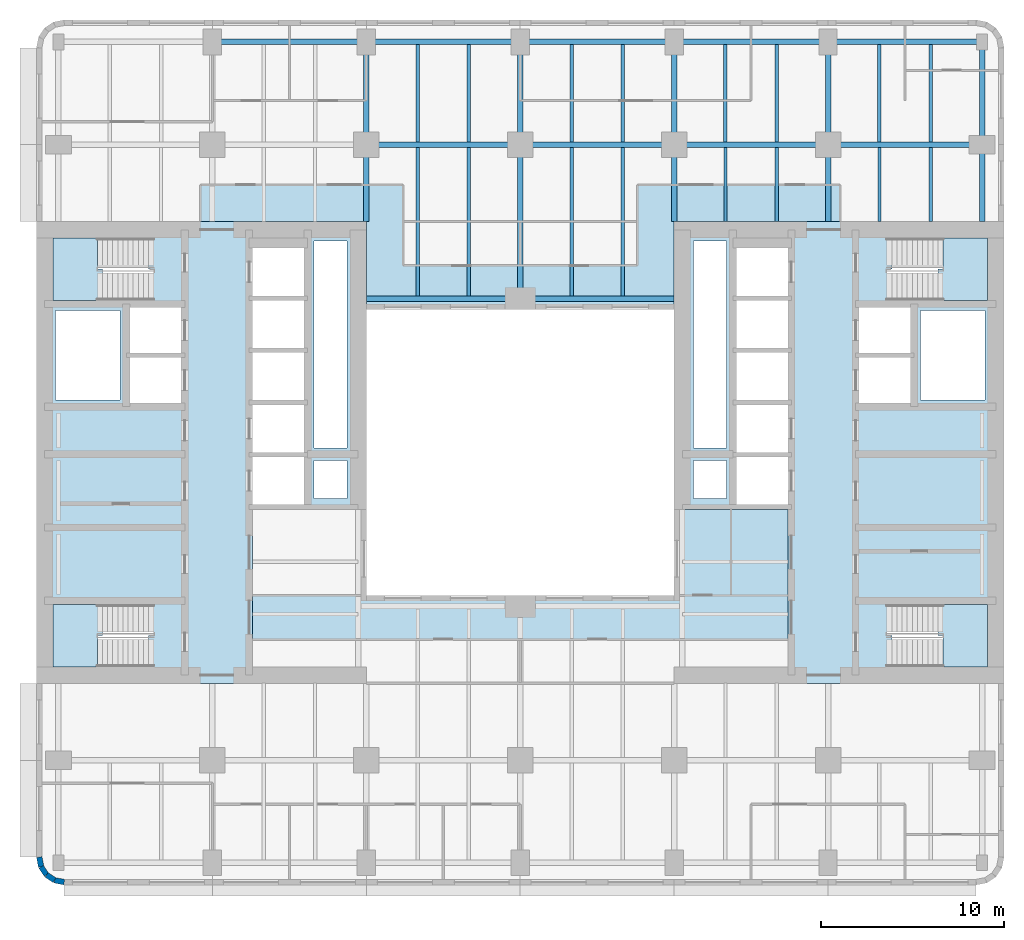
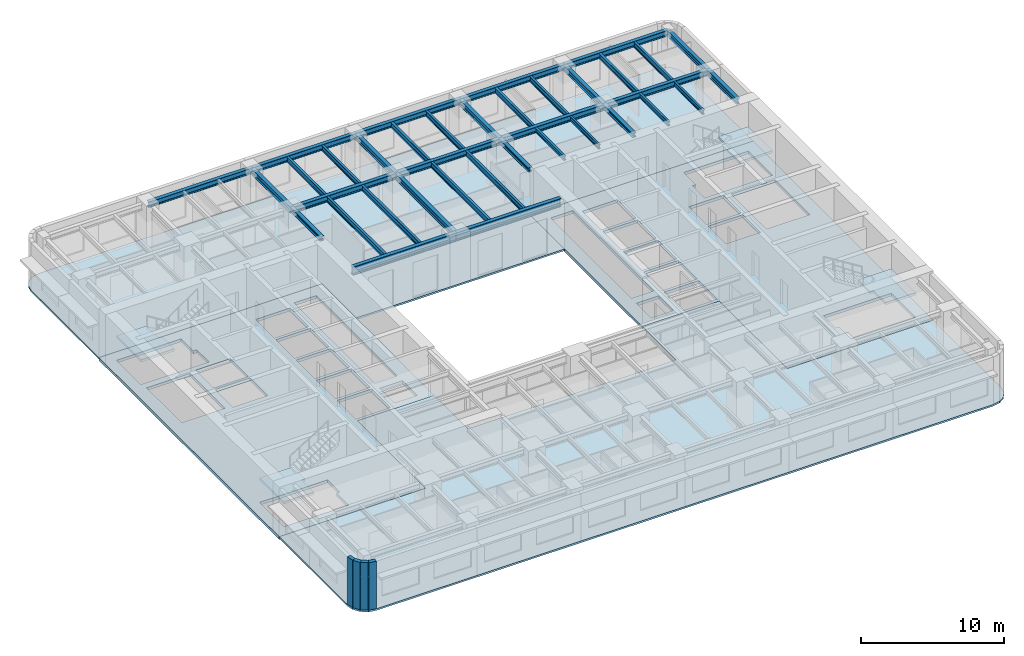
# One storey, part 2 of 11: 37 beams, 8 slabs, 4 walls, 4 elements without a shape of their own.
"""IFC4 building model written with IfcOpenShell, lengths in metres."""

from ifc_helpers import new_model, si_unit, direction, frame, frame_2d, origin, origin_2d, place, context, subcontext, project, spatial, polyline, rectangle, i_section, outline, extrude, material, layer, layer_set, material_profile, profile_set, type_object, element, aggregate, save


model = new_model("IFC4")

# Units and contexts
model_context = context("Model", 3, precision=1e-05, world=origin(), true_north=direction((0.0, 1.0)))
body_context = subcontext(model_context, "Body", "Model", "MODEL_VIEW")
ifc_project = project(units=[si_unit("LENGTHUNIT", "METRE"), si_unit("AREAUNIT", "SQUARE_METRE"), si_unit("VOLUMEUNIT", "CUBIC_METRE"), si_unit("PLANEANGLEUNIT", "RADIAN"), si_unit("MASSUNIT", "GRAM", prefix="KILO")], contexts=[model_context])

# Site, building, storey
site_placement = place(None, origin())
site = spatial("IfcSite", under=ifc_project, at=site_placement, CompositionType="ELEMENT")
building_placement = place(site_placement, origin())
building = spatial("IfcBuilding", under=site, at=building_placement, Name="Claustro Exchange Tower", CompositionType="ELEMENT")
storey_placement = place(building_placement, frame((0.0, 0.0, 113.39990234375)))
storey = spatial("IfcBuildingStorey", under=building, at=storey_placement, Name="L25", CompositionType="ELEMENT", Elevation=113.39990234375)

# Beams
ifc_material_1 = material(Name="Steel S355", Category="steel")
ifc_material_profile_1 = material_profile(ifc_material_1, i_section(OverallWidth=0.300048828125, OverallDepth=0.68994140625, WebThickness=0.014404296875, FlangeThickness=0.027099609375, FilletRadius=0.027099609375, at=origin_2d()), Name="HE 700 A")
ifc_profile_set_1 = profile_set([ifc_material_profile_1], Name="Steel S355")
beam_type_1 = type_object("IfcBeamType", Name="B13 HE 700 A light well edge girder", PredefinedType="BEAM", material=ifc_profile_set_1)
beam_1_placement = place(storey_placement, frame((16.800048828125, 33.60009765625, 3.705078125), z_axis=(1.0, 0.0, 0.0), x_axis=(0.0, 1.0, 0.0)))
element("IfcBeam", 1, at=beam_1_placement, inside=storey, type_object=beam_type_1, Name="Beam B13 L26", PredefinedType="BEAM", context=body_context, shape_type="SweptSolid", body=[
    extrude(i_section(OverallWidth=0.300048828125, OverallDepth=0.68994140625, WebThickness=0.014404296875, FlangeThickness=0.027099609375, FilletRadius=0.027099609375, at=origin_2d()), origin(), (0.0, 0.0, 1.0), 8.39990234375),
])
beam_2_placement = place(storey_placement, frame((25.199951171875, 33.60009765625, 3.705078125), z_axis=(1.0, 0.0, 0.0), x_axis=(0.0, 1.0, 0.0)))
element("IfcBeam", 2, at=beam_2_placement, inside=storey, type_object=beam_type_1, Name="Beam B13 L26", PredefinedType="BEAM", context=body_context, shape_type="SweptSolid", body=[
    extrude(i_section(OverallWidth=0.300048828125, OverallDepth=0.68994140625, WebThickness=0.014404296875, FlangeThickness=0.027099609375, FilletRadius=0.027099609375, at=origin_2d()), origin(), (0.0, 0.0, 1.0), 8.400146484375),
])
ifc_material_2 = material(Name="Steel S355", Category="steel")
ifc_material_profile_2 = material_profile(ifc_material_2, i_section(OverallWidth=0.169921875, OverallDepth=0.360107421875, WebThickness=0.008056640625, FlangeThickness=0.0126953125, FilletRadius=0.01806640625, at=origin_2d()), Name="IPE 360")
ifc_profile_set_2 = profile_set([ifc_material_profile_2], Name="Steel S355")
beam_type_2 = type_object("IfcBeamType", Name="B16 IPE 360 short-span beam", PredefinedType="BEAM", material=ifc_profile_set_2)
for number, where, z_axis, x_axis, name in (
    (3, (36.39990234375, 37.7900390625, 3.8701171875), (0.0, 1.0, 0.0), (-1.0, 0.0, 0.0), "Beam B16 L26"),
    (4, (39.199951171875, 37.7900390625, 3.8701171875), (0.0, 1.0, 0.0), (-1.0, 0.0, 0.0), "Beam B16 L26"),
    (5, (44.800048828125, 37.7900390625, 3.8701171875), (0.0, 1.0, 0.0), (-1.0, 0.0, 0.0), "Beam B16 L26"),
    (6, (47.60009765625, 37.7900390625, 3.8701171875), (0.0, 1.0, 0.0), (-1.0, 0.0, 0.0), "Beam B16 L26"),
):
    element("IfcBeam", number, at=place(storey_placement, frame(where, z_axis=z_axis, x_axis=x_axis)), inside=storey, type_object=beam_type_2, Name=name, PredefinedType="BEAM", context=body_context, shape_type="SweptSolid", body=[
        extrude(i_section(OverallWidth=0.169921875, OverallDepth=0.360107421875, WebThickness=0.008056640625, FlangeThickness=0.0126953125, FilletRadius=0.01806640625, at=origin_2d()), origin(), (0.0, 0.0, 1.0), 4.06005859375),
    ])
ifc_material_3 = material(Name="Steel S355", Category="steel")
ifc_material_profile_3 = material_profile(ifc_material_3, i_section(OverallWidth=0.300048828125, OverallDepth=0.360107421875, WebThickness=0.012451171875, FlangeThickness=0.0224609375, FilletRadius=0.027099609375, at=origin_2d()), Name="HE 360 B")
ifc_profile_set_3 = profile_set([ifc_material_profile_3], Name="Steel S355")
beam_type_3 = type_object("IfcBeamType", Name="B29 HE 360 B column to core link beam", PredefinedType="BEAM", material=ifc_profile_set_3)
for number, where, z_axis, x_axis, name in (
    (7, (16.800048828125, 37.800048828125, 3.8701171875), (0.0, 1.0, 0.0), (-1.0, 0.0, 0.0), "Beam B29 L26"),
    (8, (33.60009765625, 37.800048828125, 3.8701171875), (0.0, 1.0, 0.0), (-1.0, 0.0, 0.0), "Beam B29 L26"),
    (9, (42.0, 37.800048828125, 3.8701171875), (0.0, 1.0, 0.0), (-1.0, 0.0, 0.0), "Beam B29 L26"),
):
    element("IfcBeam", number, at=place(storey_placement, frame(where, z_axis=z_axis, x_axis=x_axis)), inside=storey, type_object=beam_type_3, Name=name, PredefinedType="BEAM", context=body_context, shape_type="SweptSolid", body=[
        extrude(i_section(OverallWidth=0.300048828125, OverallDepth=0.360107421875, WebThickness=0.012451171875, FlangeThickness=0.0224609375, FilletRadius=0.027099609375, at=origin_2d()), origin(), (0.0, 0.0, 1.0), 4.199951171875),
    ])
ifc_material_4 = material(Name="Steel S355", Category="steel")
ifc_material_profile_4 = material_profile(ifc_material_4, i_section(OverallWidth=0.300048828125, OverallDepth=0.5, WebThickness=0.014404296875, FlangeThickness=0.028076171875, FilletRadius=0.027099609375, at=origin_2d()), Name="HE 500 B")
ifc_profile_set_4 = profile_set([ifc_material_profile_4], Name="Steel S355")
beam_type_4 = type_object("IfcBeamType", Name="B7 HE 500 B floor girder", PredefinedType="BEAM", material=ifc_profile_set_4)
beam_3_placement = place(storey_placement, frame((16.800048828125, 42.0, 3.800048828125), z_axis=(0.0, 1.0, 0.0), x_axis=(-1.0, 0.0, 0.0)))
element("IfcBeam", 10, at=beam_3_placement, inside=storey, type_object=beam_type_4, Name="Beam B7 L26", PredefinedType="BEAM", context=body_context, shape_type="SweptSolid", body=[
    extrude(i_section(OverallWidth=0.300048828125, OverallDepth=0.5, WebThickness=0.014404296875, FlangeThickness=0.028076171875, FilletRadius=0.027099609375, at=origin_2d()), origin(), (0.0, 0.0, 1.0), 5.60009765625),
])
beam_4_placement = place(storey_placement, frame((25.199951171875, 33.60009765625, 3.800048828125), z_axis=(0.0, 1.0, 0.0), x_axis=(-1.0, 0.0, 0.0)))
element("IfcBeam", 11, at=beam_4_placement, inside=storey, type_object=beam_type_4, Name="Beam B7 L26", PredefinedType="BEAM", context=body_context, shape_type="SweptSolid", body=[
    extrude(i_section(OverallWidth=0.300048828125, OverallDepth=0.5, WebThickness=0.014404296875, FlangeThickness=0.028076171875, FilletRadius=0.027099609375, at=origin_2d()), origin(), (0.0, 0.0, 1.0), 8.39990234375),
])
for number, where, z_axis, x_axis, name in (
    (12, (25.199951171875, 42.0, 3.800048828125), (0.0, 1.0, 0.0), (-1.0, 0.0, 0.0), "Beam B7 L26"),
    (13, (33.60009765625, 42.0, 3.800048828125), (0.0, 1.0, 0.0), (-1.0, 0.0, 0.0), "Beam B7 L26"),
    (14, (42.0, 42.0, 3.800048828125), (0.0, 1.0, 0.0), (-1.0, 0.0, 0.0), "Beam B7 L26"),
):
    element("IfcBeam", number, at=place(storey_placement, frame(where, z_axis=z_axis, x_axis=x_axis)), inside=storey, type_object=beam_type_4, Name=name, PredefinedType="BEAM", context=body_context, shape_type="SweptSolid", body=[
        extrude(i_section(OverallWidth=0.300048828125, OverallDepth=0.5, WebThickness=0.014404296875, FlangeThickness=0.028076171875, FilletRadius=0.027099609375, at=origin_2d()), origin(), (0.0, 0.0, 1.0), 5.60009765625),
    ])
beam_5_placement = place(storey_placement, frame((16.800048828125, 42.0, 3.800048828125), z_axis=(1.0, 0.0, 0.0), x_axis=(0.0, 1.0, 0.0)))
element("IfcBeam", 15, at=beam_5_placement, inside=storey, type_object=beam_type_4, Name="Beam B7 L26", PredefinedType="BEAM", context=body_context, shape_type="SweptSolid", body=[
    extrude(i_section(OverallWidth=0.300048828125, OverallDepth=0.5, WebThickness=0.014404296875, FlangeThickness=0.028076171875, FilletRadius=0.027099609375, at=origin_2d()), origin(), (0.0, 0.0, 1.0), 8.39990234375),
])
beam_6_placement = place(storey_placement, frame((25.199951171875, 42.0, 3.800048828125), z_axis=(1.0, 0.0, 0.0), x_axis=(0.0, 1.0, 0.0)))
element("IfcBeam", 16, at=beam_6_placement, inside=storey, type_object=beam_type_4, Name="Beam B7 L26", PredefinedType="BEAM", context=body_context, shape_type="SweptSolid", body=[
    extrude(i_section(OverallWidth=0.300048828125, OverallDepth=0.5, WebThickness=0.014404296875, FlangeThickness=0.028076171875, FilletRadius=0.027099609375, at=origin_2d()), origin(), (0.0, 0.0, 1.0), 8.400146484375),
])
for number, where, z_axis, x_axis, name in (
    (17, (33.60009765625, 42.0, 3.800048828125), (1.0, 0.0, 0.0), (0.0, 1.0, 0.0), "Beam B7 L26"),
    (18, (42.0, 42.0, 3.800048828125), (1.0, 0.0, 0.0), (0.0, 1.0, 0.0), "Beam B7 L26"),
):
    element("IfcBeam", number, at=place(storey_placement, frame(where, z_axis=z_axis, x_axis=x_axis)), inside=storey, type_object=beam_type_4, Name=name, PredefinedType="BEAM", context=body_context, shape_type="SweptSolid", body=[
        extrude(i_section(OverallWidth=0.300048828125, OverallDepth=0.5, WebThickness=0.014404296875, FlangeThickness=0.028076171875, FilletRadius=0.027099609375, at=origin_2d()), origin(), (0.0, 0.0, 1.0), 8.39990234375),
    ])
ifc_material_5 = material(Name="Steel S355", Category="steel")
ifc_material_profile_5 = material_profile(ifc_material_5, i_section(OverallWidth=0.18994140625, OverallDepth=0.449951171875, WebThickness=0.009521484375, FlangeThickness=0.0146484375, FilletRadius=0.02099609375, at=origin_2d()), Name="IPE 450")
ifc_profile_set_5 = profile_set([ifc_material_profile_5], Name="Steel S355")
beam_type_5 = type_object("IfcBeamType", Name="B8 IPE 450 secondary beam", PredefinedType="BEAM", material=ifc_profile_set_5)
for number, where, z_axis, x_axis, name in (
    (19, (19.60009765625, 33.75, 3.8251953125), (0.0, 1.0, 0.0), (-1.0, 0.0, 0.0), "Beam B8 L26"),
    (20, (22.39990234375, 33.75, 3.8251953125), (0.0, 1.0, 0.0), (-1.0, 0.0, 0.0), "Beam B8 L26"),
):
    element("IfcBeam", number, at=place(storey_placement, frame(where, z_axis=z_axis, x_axis=x_axis)), inside=storey, type_object=beam_type_5, Name=name, PredefinedType="BEAM", context=body_context, shape_type="SweptSolid", body=[
        extrude(i_section(OverallWidth=0.18994140625, OverallDepth=0.449951171875, WebThickness=0.009521484375, FlangeThickness=0.0146484375, FilletRadius=0.02099609375, at=origin_2d()), origin(), (0.0, 0.0, 1.0), 8.10009765625),
    ])
for number, where, z_axis, x_axis, name in (
    (21, (19.60009765625, 42.14990234375, 3.8251953125), (0.0, 1.0, 0.0), (-1.0, 0.0, 0.0), "Beam B8 L26"),
    (22, (22.39990234375, 42.14990234375, 3.8251953125), (0.0, 1.0, 0.0), (-1.0, 0.0, 0.0), "Beam B8 L26"),
):
    element("IfcBeam", number, at=place(storey_placement, frame(where, z_axis=z_axis, x_axis=x_axis)), inside=storey, type_object=beam_type_5, Name=name, PredefinedType="BEAM", context=body_context, shape_type="SweptSolid", body=[
        extrude(i_section(OverallWidth=0.18994140625, OverallDepth=0.449951171875, WebThickness=0.009521484375, FlangeThickness=0.0146484375, FilletRadius=0.02099609375, at=origin_2d()), origin(), (0.0, 0.0, 1.0), 5.300048828125),
    ])
for number, where, z_axis, x_axis, name in (
    (23, (28.0, 33.75, 3.8251953125), (0.0, 1.0, 0.0), (-1.0, 0.0, 0.0), "Beam B8 L26"),
    (24, (30.800048828125, 33.75, 3.8251953125), (0.0, 1.0, 0.0), (-1.0, 0.0, 0.0), "Beam B8 L26"),
):
    element("IfcBeam", number, at=place(storey_placement, frame(where, z_axis=z_axis, x_axis=x_axis)), inside=storey, type_object=beam_type_5, Name=name, PredefinedType="BEAM", context=body_context, shape_type="SweptSolid", body=[
        extrude(i_section(OverallWidth=0.18994140625, OverallDepth=0.449951171875, WebThickness=0.009521484375, FlangeThickness=0.0146484375, FilletRadius=0.02099609375, at=origin_2d()), origin(), (0.0, 0.0, 1.0), 8.10009765625),
    ])
for number, where, z_axis, x_axis, name in (
    (25, (28.0, 42.14990234375, 3.8251953125), (0.0, 1.0, 0.0), (-1.0, 0.0, 0.0), "Beam B8 L26"),
    (26, (30.800048828125, 42.14990234375, 3.8251953125), (0.0, 1.0, 0.0), (-1.0, 0.0, 0.0), "Beam B8 L26"),
    (27, (36.39990234375, 42.14990234375, 3.8251953125), (0.0, 1.0, 0.0), (-1.0, 0.0, 0.0), "Beam B8 L26"),
    (28, (39.199951171875, 42.14990234375, 3.8251953125), (0.0, 1.0, 0.0), (-1.0, 0.0, 0.0), "Beam B8 L26"),
    (29, (44.800048828125, 42.14990234375, 3.8251953125), (0.0, 1.0, 0.0), (-1.0, 0.0, 0.0), "Beam B8 L26"),
    (30, (47.60009765625, 42.14990234375, 3.8251953125), (0.0, 1.0, 0.0), (-1.0, 0.0, 0.0), "Beam B8 L26"),
):
    element("IfcBeam", number, at=place(storey_placement, frame(where, z_axis=z_axis, x_axis=x_axis)), inside=storey, type_object=beam_type_5, Name=name, PredefinedType="BEAM", context=body_context, shape_type="SweptSolid", body=[
        extrude(i_section(OverallWidth=0.18994140625, OverallDepth=0.449951171875, WebThickness=0.009521484375, FlangeThickness=0.0146484375, FilletRadius=0.02099609375, at=origin_2d()), origin(), (0.0, 0.0, 1.0), 5.300048828125),
    ])
ifc_material_6 = material(Name="Steel S355", Category="steel")
ifc_material_profile_6 = material_profile(ifc_material_6, i_section(OverallWidth=0.300048828125, OverallDepth=0.489990234375, WebThickness=0.011962890625, FlangeThickness=0.02294921875, FilletRadius=0.027099609375, at=origin_2d()), Name="HE 500 A")
ifc_profile_set_6 = profile_set([ifc_material_profile_6], Name="Steel S355")
beam_type_6 = type_object("IfcBeamType", Name="B9 HE 500 A spandrel edge girder", PredefinedType="SPANDREL", material=ifc_profile_set_6)
beam_7_placement = place(storey_placement, frame((50.39990234375, 37.800048828125, 3.80517578125), z_axis=(0.0, 1.0, 0.0), x_axis=(-1.0, 0.0, 0.0)))
element("IfcBeam", 31, at=beam_7_placement, inside=storey, type_object=beam_type_6, Name="Beam B9 L26", PredefinedType="SPANDREL", context=body_context, shape_type="SweptSolid", body=[
    extrude(i_section(OverallWidth=0.300048828125, OverallDepth=0.489990234375, WebThickness=0.011962890625, FlangeThickness=0.02294921875, FilletRadius=0.027099609375, at=origin_2d()), origin(), (0.0, 0.0, 1.0), 4.199951171875),
])
beam_8_placement = place(storey_placement, frame((50.39990234375, 42.0, 3.80517578125), z_axis=(0.0, 1.0, 0.0), x_axis=(-1.0, 0.0, 0.0)))
element("IfcBeam", 32, at=beam_8_placement, inside=storey, type_object=beam_type_6, Name="Beam B9 L26", PredefinedType="SPANDREL", context=body_context, shape_type="SweptSolid", body=[
    extrude(i_section(OverallWidth=0.300048828125, OverallDepth=0.489990234375, WebThickness=0.011962890625, FlangeThickness=0.02294921875, FilletRadius=0.027099609375, at=origin_2d()), origin(), (0.0, 0.0, 1.0), 5.60009765625),
])
beam_9_placement = place(storey_placement, frame((8.39990234375, 47.60009765625, 3.80517578125), z_axis=(1.0, 0.0, 0.0), x_axis=(0.0, 1.0, 0.0)))
element("IfcBeam", 33, at=beam_9_placement, inside=storey, type_object=beam_type_6, Name="Beam B9 L26", PredefinedType="SPANDREL", context=body_context, shape_type="SweptSolid", body=[
    extrude(i_section(OverallWidth=0.300048828125, OverallDepth=0.489990234375, WebThickness=0.011962890625, FlangeThickness=0.02294921875, FilletRadius=0.027099609375, at=origin_2d()), origin(), (0.0, 0.0, 1.0), 8.400146484375),
])
beam_10_placement = place(storey_placement, frame((16.800048828125, 47.60009765625, 3.80517578125), z_axis=(1.0, 0.0, 0.0), x_axis=(0.0, 1.0, 0.0)))
element("IfcBeam", 34, at=beam_10_placement, inside=storey, type_object=beam_type_6, Name="Beam B9 L26", PredefinedType="SPANDREL", context=body_context, shape_type="SweptSolid", body=[
    extrude(i_section(OverallWidth=0.300048828125, OverallDepth=0.489990234375, WebThickness=0.011962890625, FlangeThickness=0.02294921875, FilletRadius=0.027099609375, at=origin_2d()), origin(), (0.0, 0.0, 1.0), 8.39990234375),
])
beam_11_placement = place(storey_placement, frame((25.199951171875, 47.60009765625, 3.80517578125), z_axis=(1.0, 0.0, 0.0), x_axis=(0.0, 1.0, 0.0)))
element("IfcBeam", 35, at=beam_11_placement, inside=storey, type_object=beam_type_6, Name="Beam B9 L26", PredefinedType="SPANDREL", context=body_context, shape_type="SweptSolid", body=[
    extrude(i_section(OverallWidth=0.300048828125, OverallDepth=0.489990234375, WebThickness=0.011962890625, FlangeThickness=0.02294921875, FilletRadius=0.027099609375, at=origin_2d()), origin(), (0.0, 0.0, 1.0), 8.400146484375),
])
for number, where, z_axis, x_axis, name in (
    (36, (33.60009765625, 47.60009765625, 3.80517578125), (1.0, 0.0, 0.0), (0.0, 1.0, 0.0), "Beam B9 L26"),
    (37, (42.0, 47.60009765625, 3.80517578125), (1.0, 0.0, 0.0), (0.0, 1.0, 0.0), "Beam B9 L26"),
):
    element("IfcBeam", number, at=place(storey_placement, frame(where, z_axis=z_axis, x_axis=x_axis)), inside=storey, type_object=beam_type_6, Name=name, PredefinedType="SPANDREL", context=body_context, shape_type="SweptSolid", body=[
        extrude(i_section(OverallWidth=0.300048828125, OverallDepth=0.489990234375, WebThickness=0.011962890625, FlangeThickness=0.02294921875, FilletRadius=0.027099609375, at=origin_2d()), origin(), (0.0, 0.0, 1.0), 8.39990234375),
    ])

# Slabs
ifc_material_7 = material(Name="Concrete HA-50 (C50/60)", Category="concrete")
ifc_layer_1 = layer(ifc_material_7, 0.14990234375)
ifc_layer_set_1 = layer_set([ifc_layer_1], Name="Concrete HA-50 (C50/60)")
slab_type_1 = type_object("IfcSlabType", Name="S2 150 composite floor slab", PredefinedType="FLOOR", material=ifc_layer_set_1)
slab_1_placement = place(storey_placement, frame((0.0, 0.0, -0.14990234375)))
element("IfcSlab", 38, at=slab_1_placement, inside=storey, type_object=slab_type_1, Name="Floor slab S2 S L25", PredefinedType="FLOOR", context=body_context, shape_type="SweptSolid", body=[
    extrude(outline(polyline([(-0.27392578125, 1.714111328125), (0.300048828125, 1.60009765625), (50.10009765625, 1.60009765625), (50.674072265625, 1.714111328125), (51.16064453125, 2.039306640625), (51.48583984375, 2.52587890625), (51.60009765625, 3.10009765625), (51.60009765625, 12.60009765625), (39.800048828125, 12.60009765625), (39.800048828125, 22.10009765625), (33.60009765625, 22.10009765625), (33.60009765625, 17.39990234375), (16.800048828125, 17.39990234375), (16.800048828125, 22.10009765625), (10.60009765625, 22.10009765625), (10.60009765625, 12.60009765625), (-1.199951171875, 12.60009765625), (-1.199951171875, 3.10009765625), (-1.085693359375, 2.52587890625), (-0.7607421875, 2.039306640625), (-0.27392578125, 1.714111328125)])), origin(), (0.0, 0.0, 1.0), 0.14990234375),
])
slab_2_placement = place(storey_placement, frame((0.0, 0.0, -0.14990234375)))
element("IfcSlab", 39, at=slab_2_placement, inside=storey, type_object=slab_type_1, Name="Floor slab S2 N L25", PredefinedType="FLOOR", context=body_context, shape_type="SweptSolid", body=[
    extrude(outline(polyline([(16.800048828125, 37.800048828125), (16.800048828125, 33.0), (33.60009765625, 33.0), (33.60009765625, 37.800048828125), (51.60009765625, 37.800048828125), (51.60009765625, 47.300048828125), (51.48583984375, 47.8740234375), (51.16064453125, 48.360595703125), (50.674072265625, 48.685791015625), (50.10009765625, 48.800048828125), (0.300048828125, 48.800048828125), (-0.27392578125, 48.685791015625), (-0.7607421875, 48.360595703125), (-1.085693359375, 47.8740234375), (-1.199951171875, 47.300048828125), (-1.199951171875, 37.800048828125), (16.800048828125, 37.800048828125)])), origin(), (0.0, 0.0, 1.0), 0.14990234375),
])
ifc_material_8 = material(Name="Concrete HA-50 (C50/60)", Category="concrete")
ifc_layer_2 = layer(ifc_material_8, 0.25)
ifc_layer_set_2 = layer_set([ifc_layer_2], Name="Concrete HA-50 (C50/60)")
slab_type_2 = type_object("IfcSlabType", Name="S7 250 core floor slab", PredefinedType="FLOOR", material=ifc_layer_set_2)
slab_3_placement = place(storey_placement, frame((0.0, 0.0, -0.25)))
element("IfcSlab", 40, at=slab_3_placement, inside=storey, type_object=slab_type_2, Name="Core floor slab S7 W core L25", PredefinedType="FLOOR", context=body_context, shape_type="SweptSolid", body=[
    extrude(outline(polyline([(-1.199951171875, 37.800048828125), (-1.199951171875, 12.60009765625), (10.60009765625, 12.60009765625), (10.60009765625, 22.10009765625), (16.800048828125, 22.10009765625), (16.800048828125, 37.800048828125), (-1.199951171875, 37.800048828125)]), holes=[polyline([(13.949951171875, 24.75), (15.75, 24.75), (15.75, 22.699951171875), (13.949951171875, 22.699951171875), (13.949951171875, 24.75)]), polyline([(13.949951171875, 36.75), (15.75, 36.75), (15.75, 25.449951171875), (13.949951171875, 25.449951171875), (13.949951171875, 36.75)]), polyline([(13.39990234375, 24.949951171875), (13.39990234375, 22.35009765625), (10.60009765625, 22.35009765625), (10.60009765625, 24.949951171875), (13.39990234375, 24.949951171875)]), polyline([(13.39990234375, 27.800048828125), (13.39990234375, 25.199951171875), (10.60009765625, 25.199951171875), (10.60009765625, 27.800048828125), (13.39990234375, 27.800048828125)]), polyline([(13.39990234375, 30.64990234375), (13.39990234375, 28.050048828125), (10.60009765625, 28.050048828125), (10.60009765625, 30.64990234375), (13.39990234375, 30.64990234375)]), polyline([(13.39990234375, 33.5), (13.39990234375, 30.89990234375), (10.60009765625, 30.89990234375), (10.60009765625, 33.5), (13.39990234375, 33.5)]), polyline([(13.39990234375, 36.35009765625), (13.39990234375, 33.75), (10.60009765625, 33.75), (10.60009765625, 36.35009765625), (13.39990234375, 36.35009765625)]), polyline([(6.699951171875, 30.375), (6.699951171875, 27.89990234375), (3.89990234375, 27.89990234375), (3.89990234375, 30.375), (6.699951171875, 30.375)]), polyline([(6.699951171875, 33.10009765625), (6.699951171875, 30.625), (3.89990234375, 30.625), (3.89990234375, 33.10009765625), (6.699951171875, 33.10009765625)]), polyline([(-0.300048828125, 15.199951171875), (-0.300048828125, 16.89990234375), (5.195068359375, 16.89990234375), (5.195068359375, 15.199951171875), (4.919921875, 15.199951171875), (4.919921875, 13.5), (-0.300048828125, 13.5), (-0.300048828125, 15.199951171875)]), polyline([(-0.300048828125, 35.199951171875), (-0.300048828125, 36.89990234375), (4.919921875, 36.89990234375), (4.919921875, 35.199951171875), (5.195068359375, 35.199951171875), (5.195068359375, 33.5), (-0.300048828125, 33.5), (-0.300048828125, 35.199951171875)]), polyline([(-0.14990234375, 32.949951171875), (3.35009765625, 32.949951171875), (3.35009765625, 28.050048828125), (-0.14990234375, 28.050048828125), (-0.14990234375, 32.949951171875)])]), origin(), (0.0, 0.0, 1.0), 0.25),
])
slab_4_placement = place(storey_placement, frame((0.0, 0.0, -0.25)))
element("IfcSlab", 41, at=slab_4_placement, inside=storey, type_object=slab_type_2, Name="Core floor slab S7 E core L25", PredefinedType="FLOOR", context=body_context, shape_type="SweptSolid", body=[
    extrude(outline(polyline([(51.60009765625, 37.800048828125), (33.60009765625, 37.800048828125), (33.60009765625, 22.10009765625), (39.800048828125, 22.10009765625), (39.800048828125, 12.60009765625), (51.60009765625, 12.60009765625), (51.60009765625, 37.800048828125)]), holes=[polyline([(45.47998046875, 15.199951171875), (45.205078125, 15.199951171875), (45.205078125, 16.89990234375), (50.699951171875, 16.89990234375), (50.699951171875, 15.199951171875), (50.699951171875, 13.5), (45.47998046875, 13.5), (45.47998046875, 15.199951171875)]), polyline([(45.47998046875, 35.199951171875), (45.47998046875, 36.89990234375), (50.699951171875, 36.89990234375), (50.699951171875, 35.199951171875), (50.699951171875, 33.5), (45.205078125, 33.5), (45.205078125, 35.199951171875), (45.47998046875, 35.199951171875)]), polyline([(50.550048828125, 32.949951171875), (50.550048828125, 28.050048828125), (47.050048828125, 28.050048828125), (47.050048828125, 32.949951171875), (50.550048828125, 32.949951171875)]), polyline([(43.699951171875, 33.10009765625), (46.5, 33.10009765625), (46.5, 30.625), (43.699951171875, 30.625), (43.699951171875, 33.10009765625)]), polyline([(46.5, 30.375), (46.5, 27.89990234375), (43.699951171875, 27.89990234375), (43.699951171875, 30.375), (46.5, 30.375)]), polyline([(37.0, 24.949951171875), (39.800048828125, 24.949951171875), (39.800048828125, 22.35009765625), (37.0, 22.35009765625), (37.0, 24.949951171875)]), polyline([(37.0, 30.64990234375), (39.800048828125, 30.64990234375), (39.800048828125, 28.050048828125), (37.0, 28.050048828125), (37.0, 30.64990234375)]), polyline([(39.800048828125, 27.800048828125), (39.800048828125, 25.199951171875), (37.0, 25.199951171875), (37.0, 27.800048828125), (39.800048828125, 27.800048828125)]), polyline([(39.800048828125, 33.5), (39.800048828125, 30.89990234375), (37.0, 30.89990234375), (37.0, 33.5), (39.800048828125, 33.5)]), polyline([(39.800048828125, 36.35009765625), (39.800048828125, 33.75), (37.0, 33.75), (37.0, 36.35009765625), (39.800048828125, 36.35009765625)]), polyline([(36.449951171875, 24.75), (36.449951171875, 22.699951171875), (34.64990234375, 22.699951171875), (34.64990234375, 24.75), (36.449951171875, 24.75)]), polyline([(36.449951171875, 36.75), (36.449951171875, 25.449951171875), (34.64990234375, 25.449951171875), (34.64990234375, 36.75), (36.449951171875, 36.75)])]), origin(), (0.0, 0.0, 1.0), 0.25),
])

# Stair, slab
ifc_material_9 = material(Name="Concrete HA-30 (C30/37), precast", Category="concrete")
stair_type = type_object("IfcStairType", Name="ST1 half-turn stair, 24 risers of 175", PredefinedType="HALF_TURN_STAIR", material=ifc_material_9)
stair_1_placement = place(storey_placement, origin())
stair_1 = element("IfcStair", 42, at=stair_1_placement, inside=storey, type_object=stair_type, Name="Stair STWA L25", PredefinedType="HALF_TURN_STAIR")
ifc_material_10 = material(Name="Concrete HA-30 (C30/37), precast", Category="concrete")
ifc_layer_3 = layer(ifc_material_10, 0.199951171875)
ifc_layer_set_3 = layer_set([ifc_layer_3], Name="Concrete HA-30 (C30/37), precast")
slab_type_3 = type_object("IfcSlabType", Name="S9 200 stair landing", PredefinedType="LANDING", material=ifc_layer_set_3)
slab_5_placement = place(storey_placement, frame((0.0, 0.0, 1.900146484375)))
slab_5 = element("IfcSlab", 43, at=slab_5_placement, type_object=slab_type_3, Name="STWA landing 1", PredefinedType="LANDING", context=body_context, shape_type="SweptSolid", body=[
    extrude(outline(polyline([(2.125, 13.5), (-0.300048828125, 13.5), (-0.300048828125, 16.89990234375), (2.1201171875, 16.89990234375), (2.125, 16.89990234375), (2.39990234375, 16.89990234375), (2.39990234375, 15.199951171875), (2.125, 15.199951171875), (2.125, 13.5)])), origin(), (0.0, 0.0, 1.0), 0.199951171875),
])
aggregate(stair_1, [slab_5])

stair_2_placement = place(storey_placement, origin())
stair_2 = element("IfcStair", 44, at=stair_2_placement, inside=storey, type_object=stair_type, Name="Stair STWB L25", PredefinedType="HALF_TURN_STAIR")
slab_6_placement = place(storey_placement, frame((0.0, 0.0, 1.900146484375)))
slab_6 = element("IfcSlab", 45, at=slab_6_placement, type_object=slab_type_3, Name="STWB landing 1", PredefinedType="LANDING", context=body_context, shape_type="SweptSolid", body=[
    extrude(outline(polyline([(2.39990234375, 35.199951171875), (2.39990234375, 33.5), (2.125, 33.5), (2.1201171875, 33.5), (-0.300048828125, 33.5), (-0.300048828125, 36.89990234375), (2.125, 36.89990234375), (2.125, 35.199951171875), (2.39990234375, 35.199951171875)])), origin(), (0.0, 0.0, 1.0), 0.199951171875),
])
aggregate(stair_2, [slab_6])

stair_3_placement = place(storey_placement, origin())
stair_3 = element("IfcStair", 46, at=stair_3_placement, inside=storey, type_object=stair_type, Name="Stair STEA L25", PredefinedType="HALF_TURN_STAIR")
slab_7_placement = place(storey_placement, frame((0.0, 0.0, 1.900146484375)))
slab_7 = element("IfcSlab", 47, at=slab_7_placement, type_object=slab_type_3, Name="STEA landing 1", PredefinedType="LANDING", context=body_context, shape_type="SweptSolid", body=[
    extrude(outline(polyline([(50.699951171875, 16.89990234375), (50.699951171875, 13.5), (48.27490234375, 13.5), (48.27490234375, 15.199951171875), (48.0, 15.199951171875), (48.0, 16.89990234375), (48.27490234375, 16.89990234375), (48.280029296875, 16.89990234375), (50.699951171875, 16.89990234375)])), origin(), (0.0, 0.0, 1.0), 0.199951171875),
])
aggregate(stair_3, [slab_7])

stair_4_placement = place(storey_placement, origin())
stair_4 = element("IfcStair", 48, at=stair_4_placement, inside=storey, type_object=stair_type, Name="Stair STEB L25", PredefinedType="HALF_TURN_STAIR")
slab_8_placement = place(storey_placement, frame((0.0, 0.0, 1.900146484375)))
slab_8 = element("IfcSlab", 49, at=slab_8_placement, type_object=slab_type_3, Name="STEB landing 1", PredefinedType="LANDING", context=body_context, shape_type="SweptSolid", body=[
    extrude(outline(polyline([(48.0, 33.5), (48.0, 35.199951171875), (48.27490234375, 35.199951171875), (48.27490234375, 36.89990234375), (50.699951171875, 36.89990234375), (50.699951171875, 33.5), (48.280029296875, 33.5), (48.27490234375, 33.5), (48.0, 33.5)])), origin(), (0.0, 0.0, 1.0), 0.199951171875),
])
aggregate(stair_4, [slab_8])

# Walls
ifc_material_11 = material(Name="Concrete HA-40 (C40/50), precast, white cement, acid-etched", Category="concrete")
ifc_layer_4 = layer(ifc_material_11, 0.300048828125)
ifc_layer_set_4 = layer_set([ifc_layer_4], Name="Concrete HA-40 (C40/50), precast, white cement, acid-etched")
wall_type = type_object("IfcWallType", Name="PC1 300 precast concrete pier panel", PredefinedType="SOLIDWALL", material=ifc_layer_set_4)
wall_1_placement = place(storey_placement, frame((0.314697265625, 1.75, 0.0), z_axis=(0.0, 0.0, 1.0), x_axis=(-0.980788534345, 0.195073962632, 0.0)))
element("IfcWall", 50, at=wall_1_placement, inside=storey, type_object=wall_type, Name="Precast pier panel PC1 L25", PredefinedType="SOLIDWALL", context=body_context, shape_type="SweptSolid", body=[
    extrude(rectangle(XDim=0.540771484375, YDim=0.300048828125, at=frame_2d((0.2705078125, 0.0))), origin(), (0.0, 0.0, 1.0), 4.050048828125),
])
for number, where, z_axis, x_axis, name in (
    (51, (-0.215576171875, 1.85546875, 0.0), (0.0, 0.0, 1.0), (-0.831478144188, 0.555557463938, 0.0), "Precast pier panel PC1 L25"),
    (52, (-0.652587890625, 2.1474609375, 0.0), (0.0, 0.0, 1.0), (-0.555557463938, 0.831478144188, 0.0), "Precast pier panel PC1 L25"),
):
    element("IfcWall", number, at=place(storey_placement, frame(where, z_axis=z_axis, x_axis=x_axis)), inside=storey, type_object=wall_type, Name=name, PredefinedType="SOLIDWALL", context=body_context, shape_type="SweptSolid", body=[
        extrude(rectangle(XDim=0.525634765625, YDim=0.300048828125, at=frame_2d((0.2626953125, 0.0))), origin(), (0.0, 0.0, 1.0), 4.050048828125),
    ])
wall_2_placement = place(storey_placement, frame((-0.944580078125, 2.58447265625, 0.0), z_axis=(0.0, 0.0, 1.0), x_axis=(-0.195073962632, 0.980788534345, 0.0)))
element("IfcWall", 53, at=wall_2_placement, inside=storey, type_object=wall_type, Name="Precast pier panel PC1 L25", PredefinedType="SOLIDWALL", context=body_context, shape_type="SweptSolid", body=[
    extrude(rectangle(XDim=0.540771484375, YDim=0.300048828125, at=frame_2d((0.2705078125, 0.0))), origin(), (0.0, 0.0, 1.0), 4.050048828125),
])

save(model, "model.ifc")
